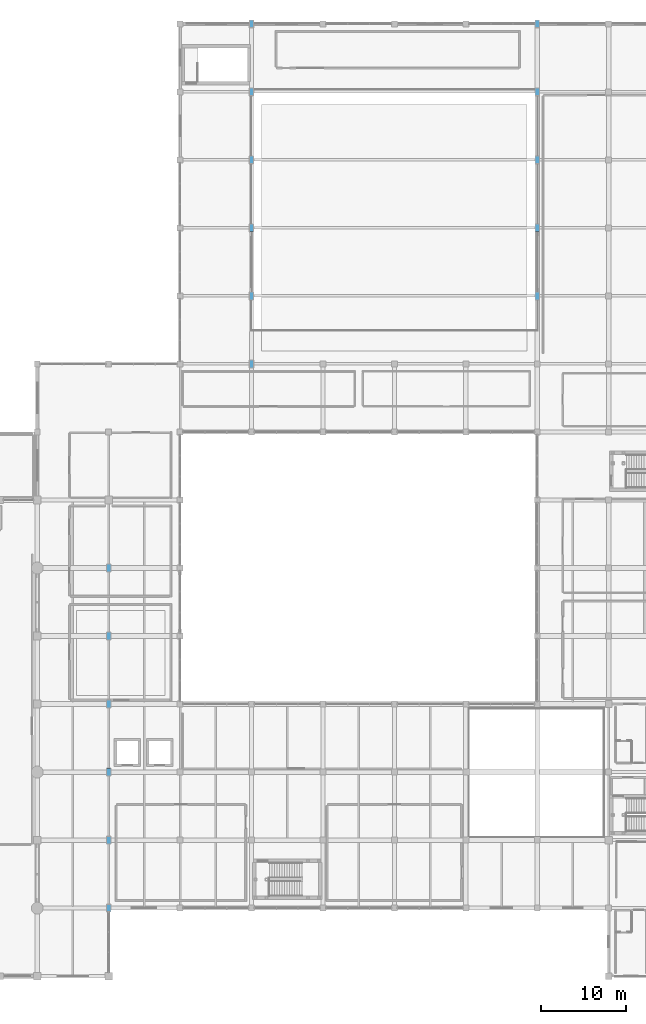
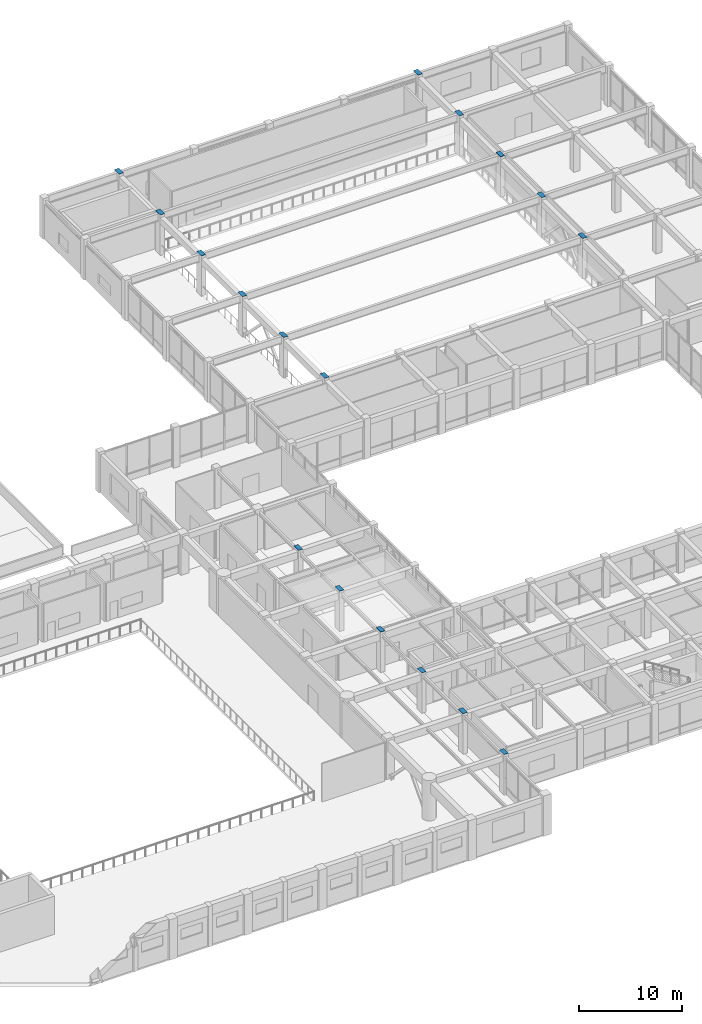
# One storey, part 67 of 76: 17 discrete accessories.
"""IFC4 building model written with IfcOpenShell, lengths in metres."""

from ifc_helpers import new_model, si_unit, direction, frame, origin, origin_2d, place, context, subcontext, project, spatial, rectangle, extrude, material, layer, layer_set, type_object, element, save


model = new_model("IFC4")

# Units and contexts
model_context = context("Model", 3, precision=1e-05, world=origin(), true_north=direction((0.0, 1.0)))
body_context = subcontext(model_context, "Body", "Model", "MODEL_VIEW")
ifc_project = project(units=[si_unit("LENGTHUNIT", "METRE"), si_unit("AREAUNIT", "SQUARE_METRE"), si_unit("VOLUMEUNIT", "CUBIC_METRE"), si_unit("PLANEANGLEUNIT", "RADIAN"), si_unit("MASSUNIT", "GRAM", prefix="KILO")], contexts=[model_context])

# Site, building, storey
site_placement = place(None, origin())
site = spatial("IfcSite", under=ifc_project, at=site_placement, CompositionType="ELEMENT")
building_placement = place(site_placement, origin())
building = spatial("IfcBuilding", under=site, at=building_placement, Name="Naruveol Harbour Congress Hotel", CompositionType="ELEMENT")
storey_placement = place(building_placement, frame((0.0, 0.0, 11.39990234375)))
storey = spatial("IfcBuildingStorey", under=building, at=storey_placement, Name="L02", CompositionType="ELEMENT", Elevation=11.39990234375)

# Discrete accessories
ifc_material = material(Name="Steel SN490", Category="steel")
ifc_layer = layer(ifc_material, 0.02392578125)
ifc_layer_set = layer_set([ifc_layer], Name="Steel SN490")
discrete_accessory_type = type_object("IfcDiscreteAccessoryType", Name="STEEL COLUMN END CAP PLATE 24", PredefinedType="USERDEFINED", material=ifc_layer_set)
for number, where, z_axis, x_axis, name in (
    (1, (58.800048828125, 8.0, 4.800048828125), (0.0, 0.0, 1.0), (1.0, 0.0, 0.0), "Column end cap plate SC-H900 (COL-L02-0588-0080)"),
    (2, (58.800048828125, 16.0, 4.800048828125), (0.0, 0.0, 1.0), (1.0, 0.0, 0.0), "Column end cap plate SC-H900 (COL-L02-0588-0160)"),
    (3, (58.800048828125, 24.0, 4.800048828125), (0.0, 0.0, 1.0), (1.0, 0.0, 0.0), "Column end cap plate SC-H900 (COL-L02-0588-0240)"),
    (4, (58.800048828125, 32.0, 4.800048828125), (0.0, 0.0, 1.0), (1.0, 0.0, 0.0), "Column end cap plate SC-H900 (COL-L02-0588-0320)"),
    (5, (58.800048828125, 40.0, 4.800048828125), (0.0, 0.0, 1.0), (1.0, 0.0, 0.0), "Column end cap plate SC-H900 (COL-L02-0588-0400)"),
    (6, (58.800048828125, 48.0, 4.800048828125), (0.0, 0.0, 1.0), (1.0, 0.0, 0.0), "Column end cap plate SC-H900 (COL-L02-0588-0480)"),
    (7, (75.60009765625, 72.0, 4.800048828125), (0.0, 0.0, 1.0), (1.0, 0.0, 0.0), "Column end cap plate SC-H900 (COL-L02-0756-0720)"),
    (8, (75.60009765625, 80.0, 4.800048828125), (0.0, 0.0, 1.0), (1.0, 0.0, 0.0), "Column end cap plate SC-H900 (COL-L02-0756-0800)"),
    (9, (75.60009765625, 88.0, 4.800048828125), (0.0, 0.0, 1.0), (1.0, 0.0, 0.0), "Column end cap plate SC-H900 (COL-L02-0756-0880)"),
    (10, (75.60009765625, 96.0, 4.800048828125), (0.0, 0.0, 1.0), (1.0, 0.0, 0.0), "Column end cap plate SC-H900 (COL-L02-0756-0960)"),
    (11, (75.60009765625, 104.0, 4.800048828125), (0.0, 0.0, 1.0), (1.0, 0.0, 0.0), "Column end cap plate SC-H900 (COL-L02-0756-1040)"),
    (12, (75.60009765625, 112.0, 4.800048828125), (0.0, 0.0, 1.0), (1.0, 0.0, 0.0), "Column end cap plate SC-H900 (COL-L02-0756-1120)"),
    (13, (109.199951171875, 80.0, 4.800048828125), (0.0, 0.0, 1.0), (1.0, 0.0, 0.0), "Column end cap plate SC-H900 (COL-L02-1092-0800)"),
    (14, (109.199951171875, 88.0, 4.800048828125), (0.0, 0.0, 1.0), (1.0, 0.0, 0.0), "Column end cap plate SC-H900 (COL-L02-1092-0880)"),
    (15, (109.199951171875, 96.0, 4.800048828125), (0.0, 0.0, 1.0), (1.0, 0.0, 0.0), "Column end cap plate SC-H900 (COL-L02-1092-0960)"),
    (16, (109.199951171875, 104.0, 4.800048828125), (0.0, 0.0, 1.0), (1.0, 0.0, 0.0), "Column end cap plate SC-H900 (COL-L02-1092-1040)"),
    (17, (109.199951171875, 112.0, 4.800048828125), (0.0, 0.0, 1.0), (1.0, 0.0, 0.0), "Column end cap plate SC-H900 (COL-L02-1092-1120)"),
):
    element("IfcDiscreteAccessory", number, at=place(storey_placement, frame(where, z_axis=z_axis, x_axis=x_axis)), inside=storey, type_object=discrete_accessory_type, Name=name, ObjectType="COLUMN END CAP PLATE", PredefinedType="USERDEFINED", context=body_context, shape_type="SweptSolid", body=[
        extrude(rectangle(XDim=0.5, YDim=0.89990234375, at=origin_2d()), origin(), (0.0, 0.0, 1.0), 0.02392578125),
    ])

save(model, "model.ifc")
